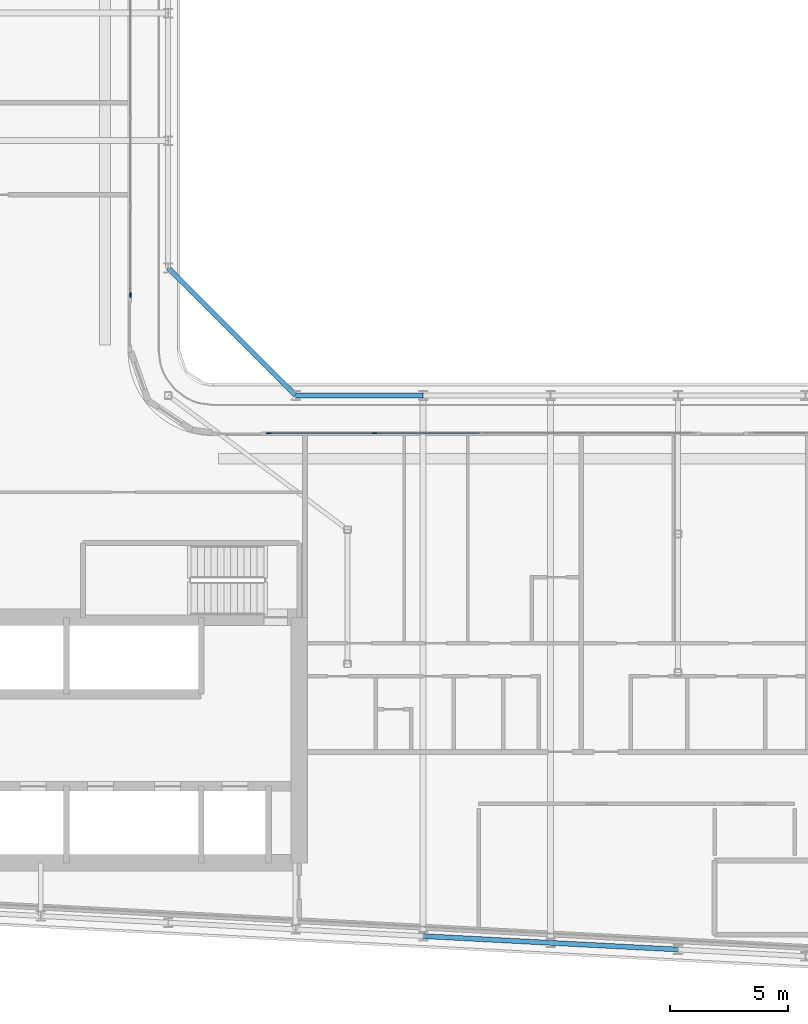
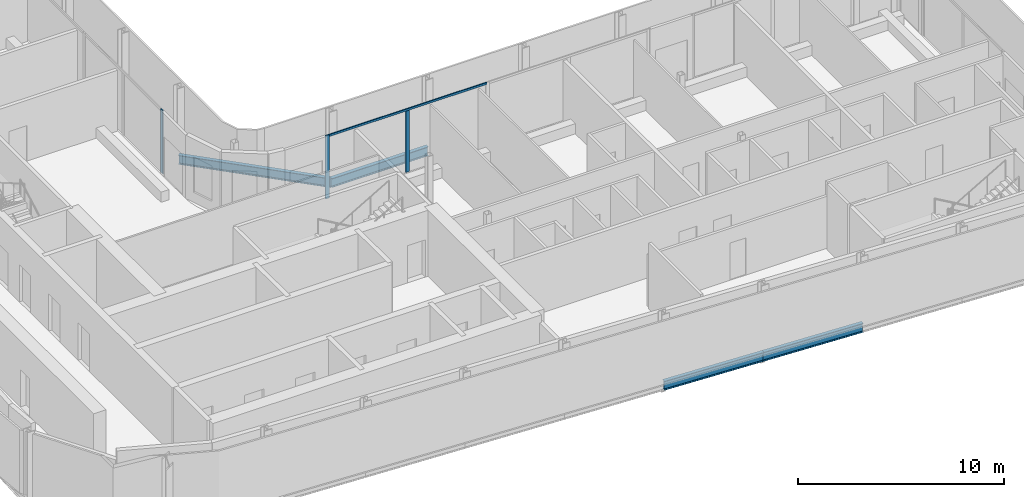
# One storey, part 4 of 22: 4 beams, 4 members, 2 elements without a shape of their own.
"""IFC4 building model written with IfcOpenShell, lengths in metres."""

from ifc_helpers import new_model, si_unit, direction, frame, origin, origin_2d, place, context, subcontext, project, spatial, rectangle, i_section, extrude, material, layer, layer_set, material_profile, profile_set, type_object, element, aggregate, save


model = new_model("IFC4")

# Units and contexts
model_context = context("Model", 3, precision=1e-05, world=origin(), true_north=direction((0.0, 1.0)))
body_context = subcontext(model_context, "Body", "Model", "MODEL_VIEW")
ifc_project = project(units=[si_unit("LENGTHUNIT", "METRE"), si_unit("AREAUNIT", "SQUARE_METRE"), si_unit("VOLUMEUNIT", "CUBIC_METRE"), si_unit("PLANEANGLEUNIT", "RADIAN"), si_unit("MASSUNIT", "GRAM", prefix="KILO")], contexts=[model_context])

# Site, building, storey
site_placement = place(None, origin())
site = spatial("IfcSite", under=ifc_project, at=site_placement, CompositionType="ELEMENT")
building_placement = place(site_placement, origin())
building = spatial("IfcBuilding", under=site, at=building_placement, Name="Kheshtan School and Residences Tower", CompositionType="ELEMENT")
storey_placement = place(building_placement, frame((0.0, 0.0, 216.199951171875)))
storey = spatial("IfcBuildingStorey", under=building, at=storey_placement, Name="L50", CompositionType="ELEMENT", Elevation=216.199951171875)

# Beams
ifc_material_1 = material(Name="Steel ASTM A992 Grade 50", Category="steel")
ifc_material_profile_1 = material_profile(ifc_material_1, i_section(OverallWidth=0.208984375, OverallDepth=0.532958984375, WebThickness=0.01025390625, FlangeThickness=0.015625, FilletRadius=0.013916015625, at=origin_2d()), Name="W530x92")
ifc_profile_set_1 = profile_set([ifc_material_profile_1], Name="Steel ASTM A992 Grade 50")
beam_type = type_object("IfcBeamType", Name="Beam SP3 W530x92 ASTM A992 Grade 50", PredefinedType="BEAM", material=ifc_profile_set_1)
beam_1_placement = place(storey_placement, frame((47.60009765625, 51.0, -0.41650390625), z_axis=(0.707106781187, -0.707106781187, 0.0), x_axis=(0.707106781187, 0.707106781187, 0.0)))
element("IfcBeam", 1, at=beam_1_placement, inside=storey, type_object=beam_type, Name="Spandrel beam C079-C061", PredefinedType="BEAM", context=body_context, shape_type="SweptSolid", body=[
    extrude(i_section(OverallWidth=0.208984375, OverallDepth=0.532958984375, WebThickness=0.01025390625, FlangeThickness=0.015625, FilletRadius=0.013916015625, at=origin_2d()), origin(), (0.0, 0.0, 1.0), 7.63671875),
])
beam_2_placement = place(storey_placement, frame((53.0, 45.60009765625, -0.41650390625), z_axis=(1.0, 0.0, 0.0), x_axis=(0.0, 1.0, 0.0)))
element("IfcBeam", 2, at=beam_2_placement, inside=storey, type_object=beam_type, Name="Spandrel beam C061-C062", PredefinedType="BEAM", context=body_context, shape_type="SweptSolid", body=[
    extrude(i_section(OverallWidth=0.208984375, OverallDepth=0.532958984375, WebThickness=0.01025390625, FlangeThickness=0.015625, FilletRadius=0.013916015625, at=origin_2d()), origin(), (0.0, 0.0, 1.0), 5.39990234375),
])
beam_3_placement = place(storey_placement, frame((69.199951171875, 22.126953125, -0.41650390625), z_axis=(-0.998620447272, 0.05250906864, 0.0), x_axis=(-0.05250906864, -0.998620447272, 0.0)))
element("IfcBeam", 3, at=beam_3_placement, inside=storey, type_object=beam_type, Name="Spandrel beam C014-C016", PredefinedType="BEAM", context=body_context, shape_type="SweptSolid", body=[
    extrude(i_section(OverallWidth=0.208984375, OverallDepth=0.532958984375, WebThickness=0.01025390625, FlangeThickness=0.015625, FilletRadius=0.013916015625, at=origin_2d()), origin(), (0.0, 0.0, 1.0), 5.407470703125),
])
beam_4_placement = place(storey_placement, frame((63.800048828125, 22.410888671875, -0.41650390625), z_axis=(-0.998618203458, 0.052551724256, 0.0), x_axis=(-0.052551724256, -0.998618203458, 0.0)))
element("IfcBeam", 4, at=beam_4_placement, inside=storey, type_object=beam_type, Name="Spandrel beam C016-C018", PredefinedType="BEAM", context=body_context, shape_type="SweptSolid", body=[
    extrude(i_section(OverallWidth=0.208984375, OverallDepth=0.532958984375, WebThickness=0.01025390625, FlangeThickness=0.015625, FilletRadius=0.013916015625, at=origin_2d()), origin(), (0.0, 0.0, 1.0), 5.40771484375),
])

# Curtain wall, member
ifc_material_2 = material(Name="Clear low-e glass in thermally broken aluminium frame", Category="aluminium")
ifc_layer = layer(ifc_material_2, 0.199951171875)
ifc_layer_set = layer_set([ifc_layer], Name="Curtain wall CW-L")
curtain_wall_type = type_object("IfcCurtainWallType", Name="Curtain wall CW-L", PredefinedType="NOTDEFINED", material=ifc_layer_set)
curtain_wall_1_placement = place(storey_placement, origin())
curtain_wall_1 = element("IfcCurtainWall", 5, at=curtain_wall_1_placement, inside=storey, type_object=curtain_wall_type, Name="Curtain wall CWL4a", PredefinedType="NOTDEFINED")
ifc_material_3 = material(Name="Thermally broken aluminium, dark bronze anodised", Category="aluminium")
ifc_material_profile_2 = material_profile(ifc_material_3, rectangle(XDim=0.06005859375, YDim=0.199951171875, at=origin_2d()), Name="CW-L mullion 60x200")
ifc_profile_set_2 = profile_set([ifc_material_profile_2], Name="Thermally broken aluminium, dark bronze anodised")
member_type_1 = type_object("IfcMemberType", Name="CW-L mullion 60x200", PredefinedType="MULLION", material=ifc_profile_set_2)
member_1_placement = place(storey_placement, frame((46.0, 49.860107421875, 0.0), z_axis=(0.0, 0.0, 1.0), x_axis=(1.0, 0.0, 0.0)))
member_1 = element("IfcMember", 6, at=member_1_placement, type_object=member_type_1, Name="CWL4a mullion 3", PredefinedType="MULLION", context=body_context, shape_type="SweptSolid", body=[
    extrude(rectangle(XDim=0.06005859375, YDim=0.199951171875, at=origin_2d()), origin(), (0.0, 0.0, 1.0), 3.75),
])
aggregate(curtain_wall_1, [member_1])

# Curtain wall, members
curtain_wall_2_placement = place(storey_placement, origin())
curtain_wall_2 = element("IfcCurtainWall", 7, at=curtain_wall_2_placement, inside=storey, type_object=curtain_wall_type, Name="Curtain wall CWL8n", PredefinedType="NOTDEFINED")
member_2_placement = place(storey_placement, frame((51.860107421875, 44.0, 0.0), z_axis=(0.0, 0.0, 1.0), x_axis=(0.0, 1.0, 0.0)))
member_2 = element("IfcMember", 8, at=member_2_placement, type_object=member_type_1, Name="CWL8n mullion 1", PredefinedType="MULLION", context=body_context, shape_type="SweptSolid", body=[
    extrude(rectangle(XDim=0.06005859375, YDim=0.199951171875, at=origin_2d()), origin(), (0.0, 0.0, 1.0), 3.75),
])
member_3_placement = place(storey_placement, frame((56.341552734375, 44.0, 0.0), z_axis=(0.0, 0.0, 1.0), x_axis=(0.0, 1.0, 0.0)))
member_3 = element("IfcMember", 9, at=member_3_placement, type_object=member_type_1, Name="CWL8n mullion 2", PredefinedType="MULLION", context=body_context, shape_type="SweptSolid", body=[
    extrude(rectangle(XDim=0.06005859375, YDim=0.199951171875, at=origin_2d()), origin(), (0.0, 0.0, 1.0), 3.630126953125),
])
ifc_material_profile_3 = material_profile(ifc_material_3, rectangle(XDim=0.06005859375, YDim=0.1201171875, at=origin_2d()), Name="CW-L transom 60x120")
ifc_profile_set_3 = profile_set([ifc_material_profile_3], Name="Thermally broken aluminium, dark bronze anodised")
member_type_2 = type_object("IfcMemberType", Name="CW-L transom 60x120", PredefinedType="USERDEFINED", material=ifc_profile_set_3)
member_4_placement = place(storey_placement, frame((51.889892578125, 44.0, 3.68994140625), z_axis=(1.0, 0.0, 0.0), x_axis=(0.0, 1.0, 0.0)))
member_4 = element("IfcMember", 10, at=member_4_placement, type_object=member_type_2, Name="CWL8n transom 1", ObjectType="TRANSOM", PredefinedType="USERDEFINED", context=body_context, shape_type="SweptSolid", body=[
    extrude(rectangle(XDim=0.06005859375, YDim=0.1201171875, at=origin_2d()), origin(), (0.0, 0.0, 1.0), 8.9033203125),
])
aggregate(curtain_wall_2, [member_2, member_3, member_4])

save(model, "model.ifc")
